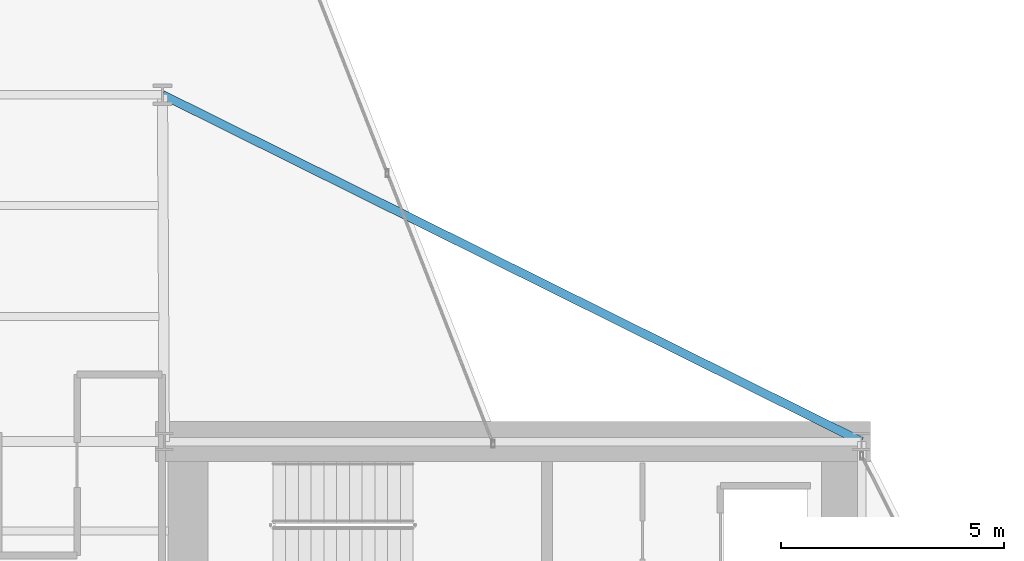
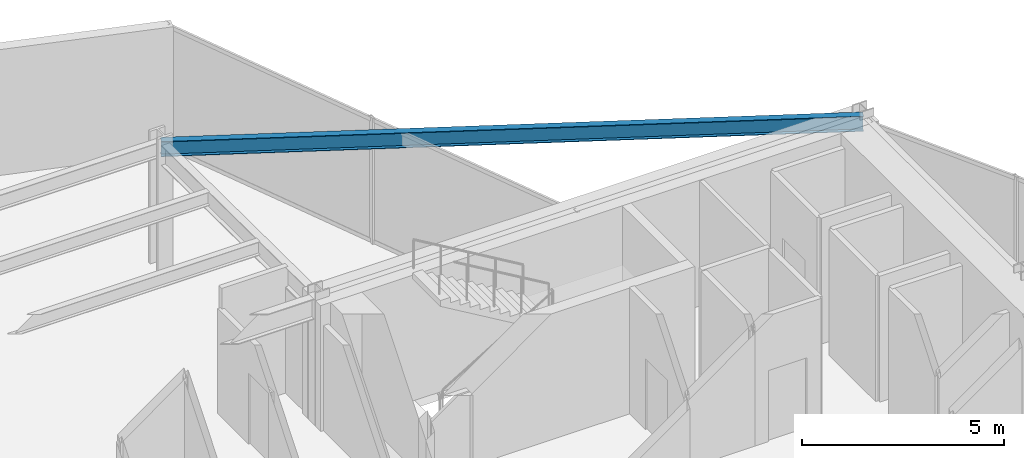
# One storey, part 22 of 30: 1 beam.
"""IFC4 building model written with IfcOpenShell, lengths in metres."""

from ifc_helpers import new_model, si_unit, direction, frame, origin, origin_2d, place, context, subcontext, project, spatial, i_section, extrude, material, material_profile, profile_set, type_object, element, save


model = new_model("IFC4")

# Units and contexts
model_context = context("Model", 3, precision=1e-05, world=origin(), true_north=direction((0.0, 1.0)))
body_context = subcontext(model_context, "Body", "Model", "MODEL_VIEW")
ifc_project = project(units=[si_unit("LENGTHUNIT", "METRE"), si_unit("AREAUNIT", "SQUARE_METRE"), si_unit("VOLUMEUNIT", "CUBIC_METRE"), si_unit("PLANEANGLEUNIT", "RADIAN"), si_unit("MASSUNIT", "GRAM", prefix="KILO")], contexts=[model_context])

# Site, building, storey
site_placement = place(None, origin())
site = spatial("IfcSite", under=ifc_project, at=site_placement, CompositionType="ELEMENT")
building_placement = place(site_placement, origin())
building = spatial("IfcBuilding", under=site, at=building_placement, Name="Veymaron Broadcast Tower", CompositionType="ELEMENT")
storey_placement = place(building_placement, frame((0.0, 0.0, 54.0)))
storey = spatial("IfcBuildingStorey", under=building, at=storey_placement, Name="L11", CompositionType="ELEMENT", Elevation=54.0)

# Beam
ifc_material = material(Name="Structural steel ASTM A992 Gr 50", Category="steel")
ifc_material_profile = material_profile(ifc_material, i_section(OverallWidth=0.19091796875, OverallDepth=0.4599609375, WebThickness=0.010009765625, FlangeThickness=0.01611328125, at=origin_2d()), Name="W460X82")
ifc_profile_set = profile_set([ifc_material_profile], Name="Structural steel ASTM A992 Gr 50")
beam_type = type_object("IfcBeamType", Name="BM-SP1", PredefinedType="SPANDREL", material=ifc_profile_set)
beam_placement = place(storey_placement, frame((54.60009765625, 32.0, 3.580078125), z_axis=(-0.895798915405, 0.444459563019, 0.0), x_axis=(-0.444459563019, -0.895798915405, 0.0)))
element("IfcBeam", 1, at=beam_placement, inside=storey, type_object=beam_type, Name="L11 primary structural floor girder", PredefinedType="SPANDREL", context=body_context, shape_type="SweptSolid", body=[
    extrude(i_section(OverallWidth=0.19091796875, OverallDepth=0.4599609375, WebThickness=0.010009765625, FlangeThickness=0.01611328125, at=origin_2d()), origin(), (0.0, 0.0, 1.0), 17.45947265625),
])

save(model, "model.ifc")
